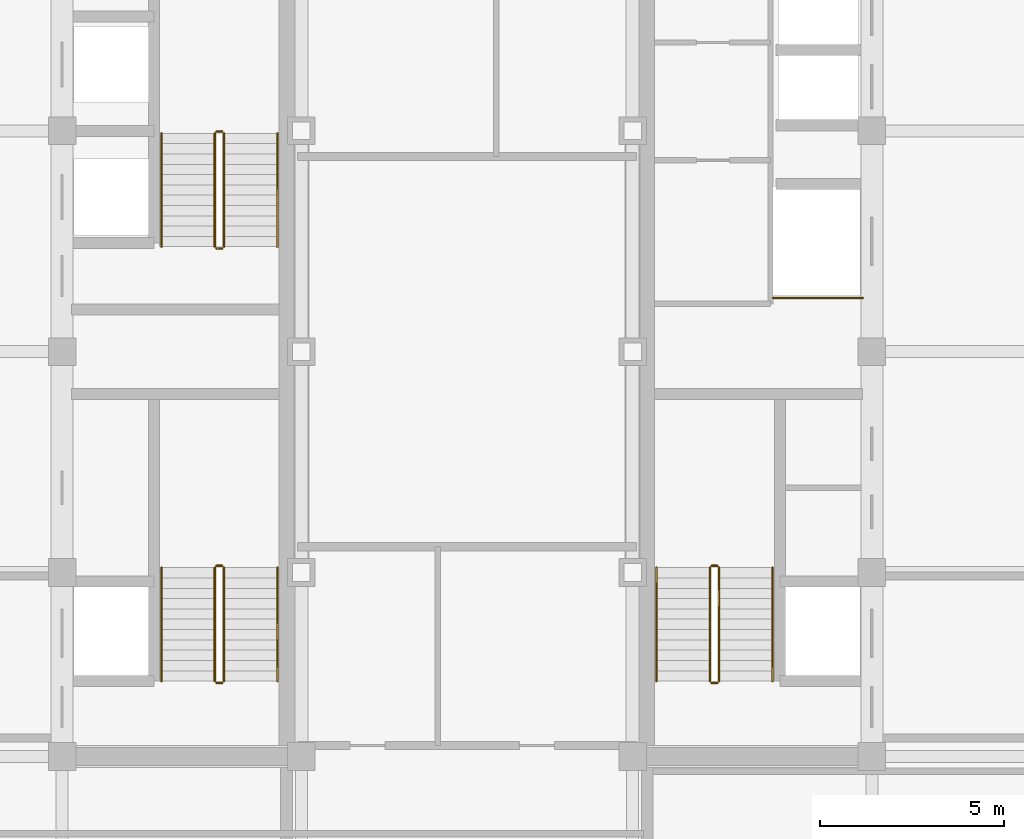
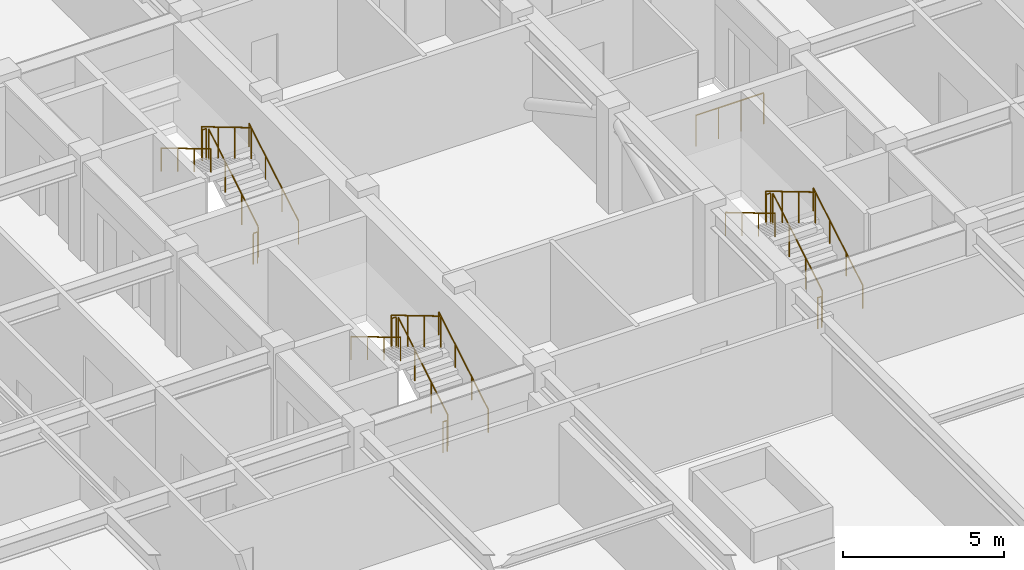
# One storey, part 29 of 29: 19 railings.
"""IFC4 building model written with IfcOpenShell, lengths in metres."""

from ifc_helpers import new_model, si_unit, direction, frame, origin, origin_2d, place, context, subcontext, project, spatial, circle, extrude, source, transform, mapped, material, type_object, element, save


model = new_model("IFC4")

# Units and contexts
model_context = context("Model", 3, precision=1e-05, world=origin(), true_north=direction((0.0, 1.0)))
body_context = subcontext(model_context, "Body", "Model", "MODEL_VIEW")
ifc_project = project(units=[si_unit("LENGTHUNIT", "METRE"), si_unit("AREAUNIT", "SQUARE_METRE"), si_unit("VOLUMEUNIT", "CUBIC_METRE"), si_unit("PLANEANGLEUNIT", "RADIAN"), si_unit("MASSUNIT", "GRAM", prefix="KILO")], contexts=[model_context])

# Site, building, storey
site_placement = place(None, origin())
site = spatial("IfcSite", under=ifc_project, at=site_placement, CompositionType="ELEMENT")
building_placement = place(site_placement, origin())
building = spatial("IfcBuilding", under=site, at=building_placement, Name="Khorayat Bourse Tower", CompositionType="ELEMENT")
storey_placement = place(building_placement, frame((0.0, 0.0, 346.300048828125)))
storey = spatial("IfcBuildingStorey", under=building, at=storey_placement, Name="L82", CompositionType="ELEMENT", Elevation=346.300048828125)

# Railings
ifc_material_1 = material(Name="Powder-coated steel balustrade", Category="steel")
railing_type_1 = type_object("IfcRailingType", Name="RLG-GUARD-1200", PredefinedType="GUARDRAIL", material=ifc_material_1)
shared_shape_1 = source(origin(), body_context, "Body", "SweptSolid", [
    extrude(circle(Radius=0.02392578125, at=origin_2d()), frame((0.0, 0.0, 1.17578125), z_axis=(-1.0, 0.0, 0.0), x_axis=(0.0, -1.0, 0.0)), (0.0, 0.0, 1.0), 0.150146484375),
    extrude(circle(Radius=0.02099609375, at=origin_2d()), origin(), (0.0, 0.0, 1.0), 1.15185546875),
    extrude(circle(Radius=0.02099609375, at=origin_2d()), frame((-0.150146484375, 0.0, 0.0)), (0.0, 0.0, 1.0), 1.15185546875),
])
for number, where, name in (
    (1, (-6.64990234375, -5.820068359375, 2.0), "L82 ST-1 stair guard 2"),
    (2, (-6.64990234375, -9.0, 0.0), "L82 ST-1 stair guard 4"),
    (3, (-6.64990234375, 5.97998046875, 2.0), "L82 ST-2 stair guard 2"),
    (4, (-6.64990234375, 2.800048828125, 0.0), "L82 ST-2 stair guard 4"),
    (5, (6.800048828125, -5.820068359375, 2.0), "L82 ST-3 stair guard 2"),
    (6, (6.800048828125, -9.0, 0.0), "L82 ST-3 stair guard 4"),
):
    element("IfcRailing", number, at=place(storey_placement, frame(where)), inside=storey, type_object=railing_type_1, Name=name, PredefinedType="GUARDRAIL", context=body_context, shape_type="MappedRepresentation", body=[
        mapped(shared_shape_1, transform((0.0, 0.0, 0.0), scale=1.0)),
    ])
shared_shape_2 = source(origin(), body_context, "Body", "SweptSolid", [
    extrude(circle(Radius=0.02392578125, at=origin_2d()), frame((0.0, 0.0, 1.17578125), z_axis=(0.0, 0.859260807169, 0.511537745687), x_axis=(-1.0, 0.0, 0.0)), (0.0, 0.0, 1.0), 3.584228515625),
    extrude(circle(Radius=0.02099609375, at=origin_2d()), origin(), (0.0, 0.0, 1.0), 1.15185546875),
    extrude(circle(Radius=0.02099609375, at=origin_2d()), frame((0.0, 1.026611328125, 0.611083984375)), (0.0, 0.0, 1.0), 1.15185546875),
    extrude(circle(Radius=0.02099609375, at=origin_2d()), frame((0.0, 2.05322265625, 1.222412109375)), (0.0, 0.0, 1.0), 1.15185546875),
    extrude(circle(Radius=0.02099609375, at=origin_2d()), frame((0.0, 3.079833984375, 1.83349609375)), (0.0, 0.0, 1.0), 1.15185546875),
])
for number, where, name in (
    (7, (-6.60009765625, -8.949951171875, 0.16650390625), "L82 ST-1 stair guard 1"),
    (8, (-6.60009765625, 2.85009765625, 0.16650390625), "L82 ST-2 stair guard 1"),
    (9, (6.85009765625, -8.949951171875, 0.16650390625), "L82 ST-3 stair guard 1"),
):
    element("IfcRailing", number, at=place(storey_placement, frame(where)), inside=storey, type_object=railing_type_1, Name=name, PredefinedType="GUARDRAIL", context=body_context, shape_type="MappedRepresentation", body=[
        mapped(shared_shape_2, transform((0.0, 0.0, 0.0), scale=1.0)),
    ])
shared_shape_3 = source(origin(), body_context, "Body", "SweptSolid", [
    extrude(circle(Radius=0.02392578125, at=origin_2d()), frame((0.0, 0.0, 1.17578125), z_axis=(0.0, -0.859260807169, 0.511537745687), x_axis=(1.0, 0.0, 0.0)), (0.0, 0.0, 1.0), 3.584228515625),
    extrude(circle(Radius=0.02099609375, at=origin_2d()), origin(), (0.0, 0.0, 1.0), 1.15185546875),
    extrude(circle(Radius=0.02099609375, at=origin_2d()), frame((0.0, -1.026611328125, 0.611083984375)), (0.0, 0.0, 1.0), 1.15185546875),
    extrude(circle(Radius=0.02099609375, at=origin_2d()), frame((0.0, -2.05322265625, 1.222412109375)), (0.0, 0.0, 1.0), 1.15185546875),
    extrude(circle(Radius=0.02099609375, at=origin_2d()), frame((0.0, -3.079833984375, 1.83349609375)), (0.0, 0.0, 1.0), 1.15185546875),
])
for number, where, name in (
    (10, (-6.85009765625, -5.8701171875, 2.16650390625), "L82 ST-1 stair guard 3"),
    (11, (-6.85009765625, 5.929931640625, 2.16650390625), "L82 ST-2 stair guard 3"),
    (12, (6.60009765625, -5.8701171875, 2.16650390625), "L82 ST-3 stair guard 3"),
):
    element("IfcRailing", number, at=place(storey_placement, frame(where)), inside=storey, type_object=railing_type_1, Name=name, PredefinedType="GUARDRAIL", context=body_context, shape_type="MappedRepresentation", body=[
        mapped(shared_shape_3, transform((0.0, 0.0, 0.0), scale=1.0)),
    ])
ifc_material_2 = material(Name="Brushed bronze stainless-steel handrail", Category="steel")
railing_type_2 = type_object("IfcRailingType", Name="RLG-HAND-900", PredefinedType="HANDRAIL", material=ifc_material_2)
shared_shape_4 = source(origin(), body_context, "Body", "SweptSolid", [
    extrude(circle(Radius=0.02392578125, at=origin_2d()), frame((0.0, 0.0, 0.8759765625), z_axis=(0.0, 0.859260807169, 0.511537745687), x_axis=(-1.0, 0.0, 0.0)), (0.0, 0.0, 1.0), 3.584228515625),
    extrude(circle(Radius=0.02099609375, at=origin_2d()), origin(), (0.0, 0.0, 1.0), 0.851806640625),
    extrude(circle(Radius=0.02099609375, at=origin_2d()), frame((0.0, 1.026611328125, 0.611083984375)), (0.0, 0.0, 1.0), 0.851806640625),
    extrude(circle(Radius=0.02099609375, at=origin_2d()), frame((0.0, 2.05322265625, 1.222412109375)), (0.0, 0.0, 1.0), 0.851806640625),
    extrude(circle(Radius=0.02099609375, at=origin_2d()), frame((0.0, 3.079833984375, 1.83349609375)), (0.0, 0.0, 1.0), 0.851806640625),
])
for number, where, name in (
    (13, (-5.14990234375, -8.949951171875, 0.16650390625), "L82 ST-1 stair handrail 1"),
    (14, (-5.14990234375, 2.85009765625, 0.16650390625), "L82 ST-2 stair handrail 1"),
    (15, (8.300048828125, -8.949951171875, 0.16650390625), "L82 ST-3 stair handrail 1"),
):
    element("IfcRailing", number, at=place(storey_placement, frame(where)), inside=storey, type_object=railing_type_2, Name=name, PredefinedType="HANDRAIL", context=body_context, shape_type="MappedRepresentation", body=[
        mapped(shared_shape_4, transform((0.0, 0.0, 0.0), scale=1.0)),
    ])
shared_shape_5 = source(origin(), body_context, "Body", "SweptSolid", [
    extrude(circle(Radius=0.02392578125, at=origin_2d()), frame((0.0, 0.0, 0.8759765625), z_axis=(0.0, -0.859260807169, 0.511537745687), x_axis=(1.0, 0.0, 0.0)), (0.0, 0.0, 1.0), 3.584228515625),
    extrude(circle(Radius=0.02099609375, at=origin_2d()), origin(), (0.0, 0.0, 1.0), 0.851806640625),
    extrude(circle(Radius=0.02099609375, at=origin_2d()), frame((0.0, -1.026611328125, 0.611083984375)), (0.0, 0.0, 1.0), 0.851806640625),
    extrude(circle(Radius=0.02099609375, at=origin_2d()), frame((0.0, -2.05322265625, 1.222412109375)), (0.0, 0.0, 1.0), 0.851806640625),
    extrude(circle(Radius=0.02099609375, at=origin_2d()), frame((0.0, -3.079833984375, 1.83349609375)), (0.0, 0.0, 1.0), 0.851806640625),
])
for number, where, name in (
    (16, (-8.300048828125, -5.8701171875, 2.16650390625), "L82 ST-1 stair handrail 2"),
    (17, (-8.300048828125, 5.929931640625, 2.16650390625), "L82 ST-2 stair handrail 2"),
    (18, (5.14990234375, -5.8701171875, 2.16650390625), "L82 ST-3 stair handrail 2"),
):
    element("IfcRailing", number, at=place(storey_placement, frame(where)), inside=storey, type_object=railing_type_2, Name=name, PredefinedType="HANDRAIL", context=body_context, shape_type="MappedRepresentation", body=[
        mapped(shared_shape_5, transform((0.0, 0.0, 0.0), scale=1.0)),
    ])
shared_shape_6 = source(origin(), body_context, "Body", "SweptSolid", [
    extrude(circle(Radius=0.02392578125, at=origin_2d()), frame((0.0, 0.0, 1.17578125), z_axis=(1.0, 0.0, 0.0), x_axis=(0.0, 1.0, 0.0)), (0.0, 0.0, 1.0), 2.429931640625),
    extrude(circle(Radius=0.02099609375, at=origin_2d()), origin(), (0.0, 0.0, 1.0), 1.15185546875),
    extrude(circle(Radius=0.02099609375, at=origin_2d()), frame((0.81005859375, 0.0, 0.0)), (0.0, 0.0, 1.0), 1.15185546875),
    extrude(circle(Radius=0.02099609375, at=origin_2d()), frame((1.619873046875, 0.0, 0.0)), (0.0, 0.0, 1.0), 1.15185546875),
    extrude(circle(Radius=0.02099609375, at=origin_2d()), frame((2.429931640625, 0.0, 0.0)), (0.0, 0.0, 1.0), 1.15185546875),
])
railing_placement = place(storey_placement, frame((8.320068359375, 1.4599609375, 0.0)))
element("IfcRailing", 19, at=railing_placement, inside=storey, type_object=railing_type_1, Name="L82 Goods Shaft Opening Guardrail", PredefinedType="GUARDRAIL", context=body_context, shape_type="MappedRepresentation", body=[
    mapped(shared_shape_6, transform((0.0, 0.0, 0.0), scale=1.0)),
])

save(model, "model.ifc")
